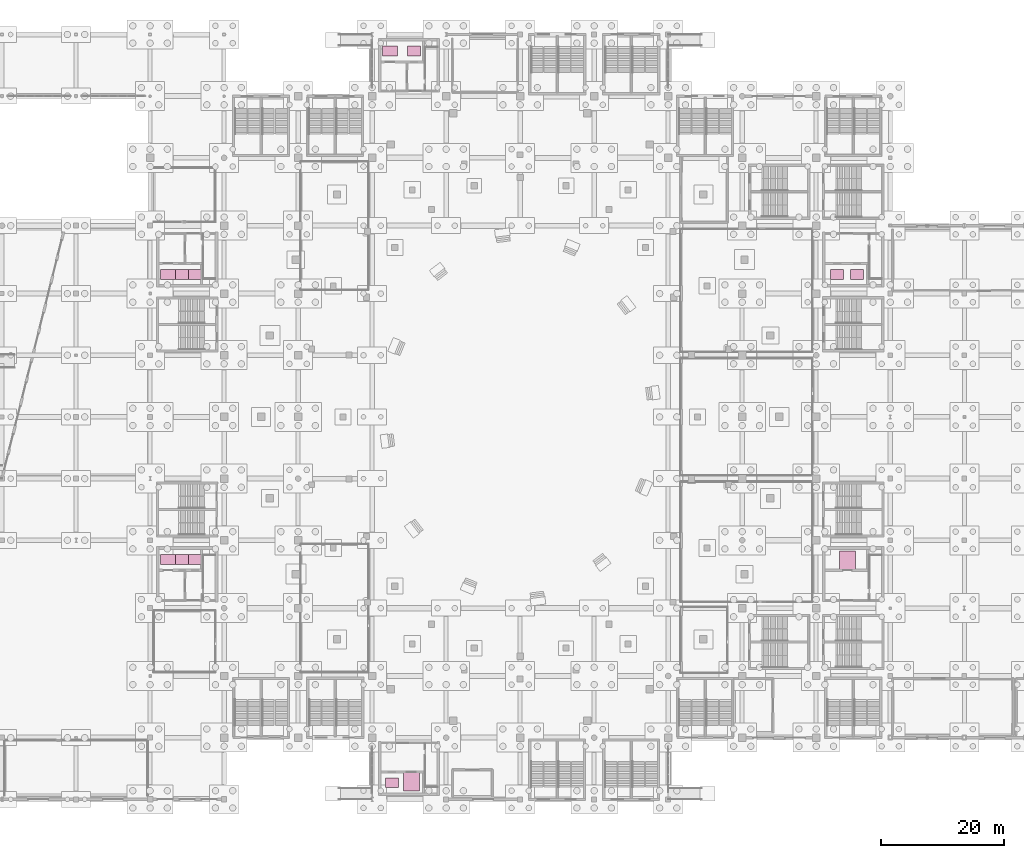
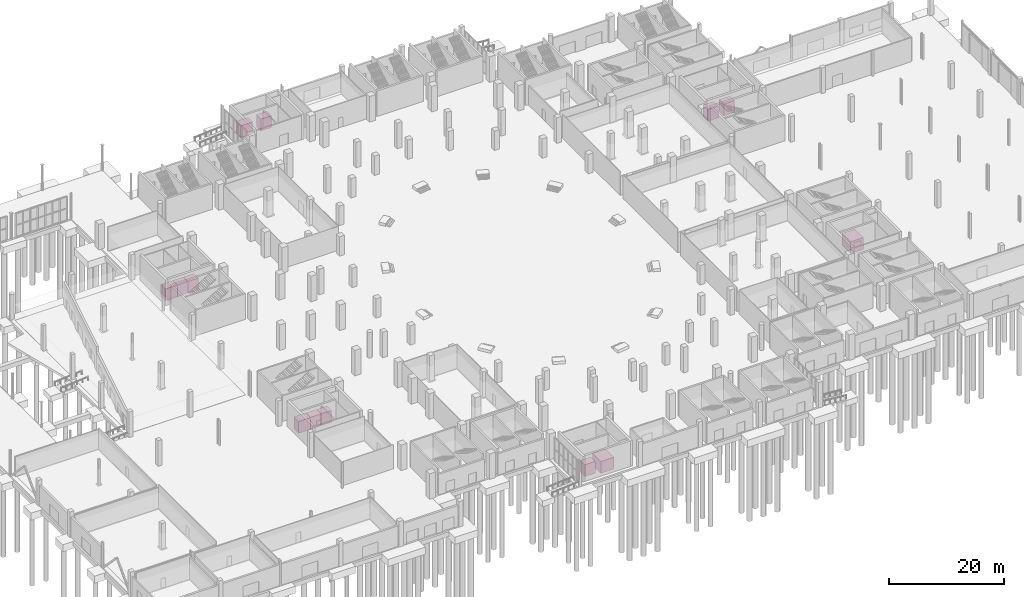
# One storey, part 70 of 70: 13 transport elements.
"""IFC4 building model written with IfcOpenShell, lengths in metres."""

from ifc_helpers import new_model, si_unit, direction, frame, origin, origin_2d, place, context, subcontext, project, spatial, rectangle, extrude, material, type_object, element, save


model = new_model("IFC4")

# Units and contexts
model_context = context("Model", 3, precision=1e-05, world=origin(), true_north=direction((0.0, 1.0)))
body_context = subcontext(model_context, "Body", "Model", "MODEL_VIEW")
ifc_project = project(units=[si_unit("LENGTHUNIT", "METRE"), si_unit("AREAUNIT", "SQUARE_METRE"), si_unit("VOLUMEUNIT", "CUBIC_METRE"), si_unit("PLANEANGLEUNIT", "RADIAN"), si_unit("MASSUNIT", "GRAM", prefix="KILO")], contexts=[model_context])

# Site, building, storey
site_placement = place(None, origin())
site = spatial("IfcSite", under=ifc_project, at=site_placement, CompositionType="ELEMENT")
building_placement = place(site_placement, origin())
building = spatial("IfcBuilding", under=site, at=building_placement, Name="Brinegate Civic Arena", CompositionType="ELEMENT")
storey_placement = place(building_placement, origin())
storey = spatial("IfcBuildingStorey", under=building, at=storey_placement, Name="L00", CompositionType="ELEMENT", Elevation=0.0)

# Transport elements
ifc_material = material(Name="Architectural stainless steel balustrade", Category="steel")
transport_element_type_1 = type_object("IfcTransportElementType", Name="LIFT-FIREFIGHTING-2400X1650", PredefinedType="ELEVATOR", material=ifc_material)
for number, where, z_axis, x_axis, name in (
    (1, (50.89990234375, 85.10009765625, 0.0), (0.0, 0.0, 1.0), (1.0, 0.0, 0.0), "Firefighting Lift FL1"),
    (2, (50.89990234375, 38.89990234375, 0.0), (0.0, 0.0, 1.0), (1.0, 0.0, 0.0), "Firefighting Lift FL2"),
    (3, (86.89990234375, 121.300048828125, 0.0), (0.0, 0.0, 1.0), (1.0, 0.0, 0.0), "Firefighting Lift FL3"),
):
    element("IfcTransportElement", number, at=place(storey_placement, frame(where, z_axis=z_axis, x_axis=x_axis)), inside=storey, type_object=transport_element_type_1, Name=name, PredefinedType="ELEVATOR", context=body_context, shape_type="SweptSolid", body=[
        extrude(rectangle(XDim=2.39990234375, YDim=1.64990234375, at=origin_2d()), origin(), (0.0, 0.0, 1.0), 2.5),
    ])
transport_element_type_2 = type_object("IfcTransportElementType", Name="LIFT-FREIGHT-2600X3000", PredefinedType="ELEVATOR", material=ifc_material)
for number, where, z_axis, x_axis, name in (
    (4, (90.35009765625, 2.85009765625, 0.0), (0.0, 0.0, 1.0), (1.0, 0.0, 0.0), "Goods Lift GL1"),
    (5, (161.050048828125, 38.75, 0.0), (0.0, 0.0, 1.0), (1.0, 0.0, 0.0), "Freight Lift GL2"),
):
    element("IfcTransportElement", number, at=place(storey_placement, frame(where, z_axis=z_axis, x_axis=x_axis)), inside=storey, type_object=transport_element_type_2, Name=name, PredefinedType="ELEVATOR", context=body_context, shape_type="SweptSolid", body=[
        extrude(rectangle(XDim=2.60009765625, YDim=3.0, at=origin_2d()), origin(), (0.0, 0.0, 1.0), 2.5),
    ])
transport_element_type_3 = type_object("IfcTransportElementType", Name="LIFT-PASSENGER-2100X1600", PredefinedType="ELEVATOR", material=ifc_material)
for number, where, z_axis, x_axis, name in (
    (6, (53.199951171875, 85.10009765625, 0.0), (0.0, 0.0, 1.0), (1.0, 0.0, 0.0), "Passenger Lift PL1"),
    (7, (55.300048828125, 85.10009765625, 0.0), (0.0, 0.0, 1.0), (1.0, 0.0, 0.0), "Passenger Lift PL2"),
    (8, (53.199951171875, 38.89990234375, 0.0), (0.0, 0.0, 1.0), (1.0, 0.0, 0.0), "Passenger Lift PL3"),
    (9, (55.300048828125, 38.89990234375, 0.0), (0.0, 0.0, 1.0), (1.0, 0.0, 0.0), "Passenger Lift PL4"),
    (10, (90.800048828125, 121.300048828125, 0.0), (0.0, 0.0, 1.0), (1.0, 0.0, 0.0), "Passenger Lift PL5"),
    (11, (87.199951171875, 2.699951171875, 0.0), (0.0, 0.0, 1.0), (1.0, 0.0, 0.0), "Passenger Lift PL6"),
    (12, (159.39990234375, 85.10009765625, 0.0), (0.0, 0.0, 1.0), (1.0, 0.0, 0.0), "Passenger Lift PL7"),
    (13, (162.60009765625, 85.10009765625, 0.0), (0.0, 0.0, 1.0), (1.0, 0.0, 0.0), "Passenger Lift PL8"),
):
    element("IfcTransportElement", number, at=place(storey_placement, frame(where, z_axis=z_axis, x_axis=x_axis)), inside=storey, type_object=transport_element_type_3, Name=name, PredefinedType="ELEVATOR", context=body_context, shape_type="SweptSolid", body=[
        extrude(rectangle(XDim=2.10009765625, YDim=1.60009765625, at=origin_2d()), origin(), (0.0, 0.0, 1.0), 2.5),
    ])

save(model, "model.ifc")
